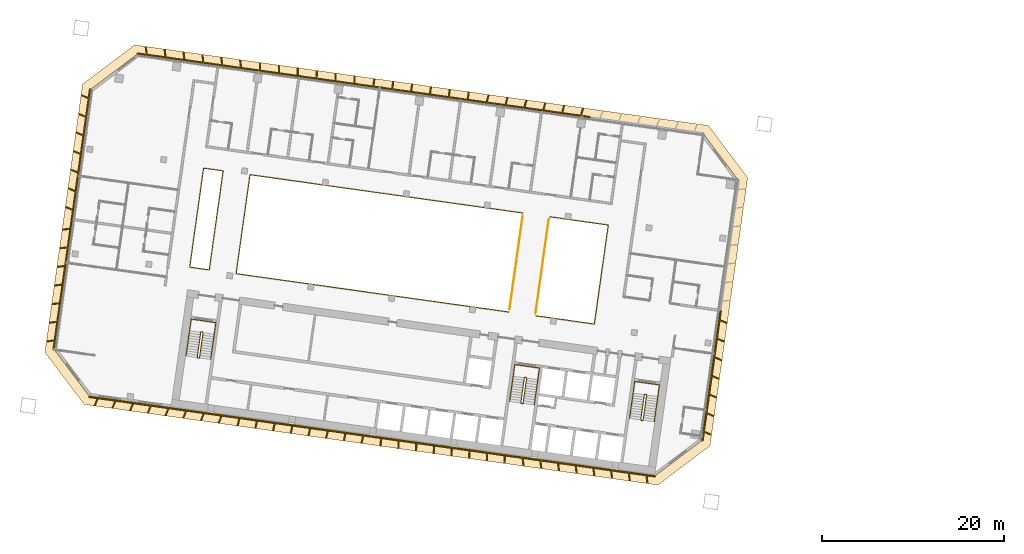
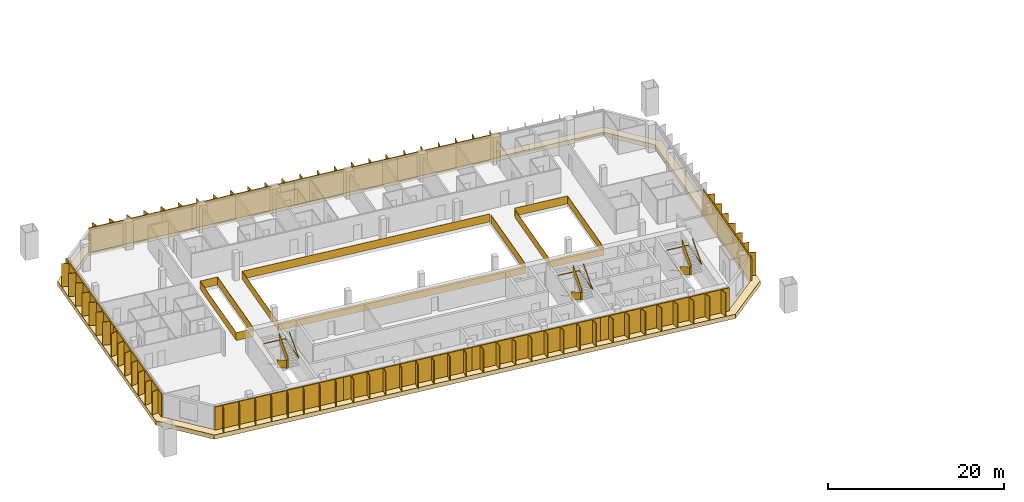
# One storey, part 24 of 26: 11 railings, 11 shading devices, 1 covering.
"""IFC4 building model written with IfcOpenShell, lengths in metres."""

from ifc_helpers import new_model, si_unit, direction, frame, origin, origin_2d, place, context, subcontext, project, spatial, polyline, rectangle, outline, extrude, material, layer, layer_set, type_object, element, save


model = new_model("IFC4")

# Units and contexts
model_context = context("Model", 3, precision=1e-05, world=origin(), true_north=direction((0.0, 1.0)))
body_context = subcontext(model_context, "Body", "Model", "MODEL_VIEW")
ifc_project = project(units=[si_unit("LENGTHUNIT", "METRE"), si_unit("AREAUNIT", "SQUARE_METRE"), si_unit("VOLUMEUNIT", "CUBIC_METRE"), si_unit("PLANEANGLEUNIT", "RADIAN"), si_unit("MASSUNIT", "GRAM", prefix="KILO")], contexts=[model_context])

# Site, building, storey
site_placement = place(None, origin())
site = spatial("IfcSite", under=ifc_project, at=site_placement, CompositionType="ELEMENT")
building_placement = place(site_placement, origin())
building = spatial("IfcBuilding", under=site, at=building_placement, Name="Mirante Cascada Hotel Towers", CompositionType="ELEMENT")
storey_placement = place(building_placement, frame((0.0, 0.0, 106.3)))
storey = spatial("IfcBuildingStorey", under=building, at=storey_placement, Name="L23", CompositionType="ELEMENT", Elevation=106.3)

# Railings
ifc_material_1 = material(Name="Toughened glass with stainless steel handrail", Category="steel")
railing_type_1 = type_object("IfcRailingType", Name="Atrium guard 1100 glass balustrade", PredefinedType="GUARDRAIL", material=ifc_material_1)
railing_1_placement = place(storey_placement, frame((-48.76, 8.3112, 0.0)))
element("IfcRailing", 1, at=railing_1_placement, inside=storey, type_object=railing_type_1, Name="GUARD 1-L23-1", PredefinedType="GUARDRAIL", context=body_context, shape_type="SweptSolid", body=[
    extrude(rectangle(XDim=0.048, YDim=0.048, at=origin_2d()), frame((0.0, 0.0, 1.076), z_axis=(0.9902694, -0.1391638, 0.0), x_axis=(0.1391638, 0.9902694, 0.0)), (0.0, 0.0, 1.0), 6.5125),
    extrude(rectangle(XDim=0.02, YDim=1.052, at=origin_2d()), frame((0.0, 0.0, 0.526), z_axis=(0.9902694, -0.1391638, 0.0), x_axis=(0.1391638, 0.9902694, 0.0)), (0.0, 0.0, 1.0), 6.5125),
    extrude(rectangle(XDim=0.048, YDim=0.048, at=origin_2d()), frame((6.4491, -0.9063, 1.076), z_axis=(-0.1391721, -0.9902682, 0.0), x_axis=(0.9902682, -0.1391721, 0.0)), (0.0, 0.0, 1.0), 11.0001),
    extrude(rectangle(XDim=0.02, YDim=1.052, at=origin_2d()), frame((6.4491, -0.9063, 0.526), z_axis=(-0.1391721, -0.9902682, 0.0), x_axis=(0.9902682, -0.1391721, 0.0)), (0.0, 0.0, 1.0), 11.0001),
    extrude(rectangle(XDim=0.048, YDim=0.048, at=origin_2d()), frame((4.9182, -11.7993, 1.076), z_axis=(-0.9902673, 0.1391788, 0.0), x_axis=(-0.1391788, -0.9902673, 0.0)), (0.0, 0.0, 1.0), 6.5125),
    extrude(rectangle(XDim=0.02, YDim=1.052, at=origin_2d()), frame((4.9182, -11.7993, 0.526), z_axis=(-0.9902673, 0.1391788, 0.0), x_axis=(-0.1391788, -0.9902673, 0.0)), (0.0, 0.0, 1.0), 6.5125),
])
railing_2_placement = place(storey_placement, frame((-53.2617, -2.1642, 0.0)))
element("IfcRailing", 2, at=railing_2_placement, inside=storey, type_object=railing_type_1, Name="GUARD 1-L23-2", PredefinedType="GUARDRAIL", context=body_context, shape_type="SweptSolid", body=[
    extrude(rectangle(XDim=0.048, YDim=0.048, at=origin_2d()), frame((0.0, 0.0, 1.076), z_axis=(-0.9902682, 0.1391722, 0.0), x_axis=(-0.1391722, -0.9902682, 0.0)), (0.0, 0.0, 1.0), 30.325),
    extrude(rectangle(XDim=0.02, YDim=1.052, at=origin_2d()), frame((0.0, 0.0, 0.526), z_axis=(-0.9902682, 0.1391722, 0.0), x_axis=(-0.1391722, -0.9902682, 0.0)), (0.0, 0.0, 1.0), 30.325),
    extrude(rectangle(XDim=0.048, YDim=0.048, at=origin_2d()), frame((-30.0299, 4.2204, 1.076), z_axis=(0.1391721, 0.9902682, 0.0), x_axis=(-0.9902682, 0.1391721, 0.0)), (0.0, 0.0, 1.0), 11.0001),
    extrude(rectangle(XDim=0.02, YDim=1.052, at=origin_2d()), frame((-30.0299, 4.2204, 0.526), z_axis=(0.1391721, 0.9902682, 0.0), x_axis=(-0.9902682, 0.1391721, 0.0)), (0.0, 0.0, 1.0), 11.0001),
    extrude(rectangle(XDim=0.048, YDim=0.048, at=origin_2d()), frame((-28.499, 15.1134, 1.076), z_axis=(0.9902682, -0.1391722, 0.0), x_axis=(0.1391722, 0.9902682, 0.0)), (0.0, 0.0, 1.0), 30.325),
    extrude(rectangle(XDim=0.02, YDim=1.052, at=origin_2d()), frame((-28.499, 15.1134, 0.526), z_axis=(0.9902682, -0.1391722, 0.0), x_axis=(0.1391722, 0.9902682, 0.0)), (0.0, 0.0, 1.0), 30.325),
])
railing_3_placement = place(storey_placement, frame((-86.2624, 2.4738, 0.0)))
element("IfcRailing", 3, at=railing_3_placement, inside=storey, type_object=railing_type_1, Name="GUARD 1-L23-3", PredefinedType="GUARDRAIL", context=body_context, shape_type="SweptSolid", body=[
    extrude(rectangle(XDim=0.048, YDim=0.048, at=origin_2d()), frame((0.0, 0.0, 1.076), z_axis=(-0.9902724, 0.1391422, 0.0), x_axis=(-0.1391422, -0.9902724, 0.0)), (0.0, 0.0, 1.0), 2.1625),
    extrude(rectangle(XDim=0.02, YDim=1.052, at=origin_2d()), frame((0.0, 0.0, 0.526), z_axis=(-0.9902724, 0.1391422, 0.0), x_axis=(-0.1391422, -0.9902724, 0.0)), (0.0, 0.0, 1.0), 2.1625),
    extrude(rectangle(XDim=0.048, YDim=0.048, at=origin_2d()), frame((-2.1415, 0.3009, 1.076), z_axis=(0.1391721, 0.9902682, 0.0), x_axis=(-0.9902682, 0.1391721, 0.0)), (0.0, 0.0, 1.0), 11.0001),
    extrude(rectangle(XDim=0.02, YDim=1.052, at=origin_2d()), frame((-2.1415, 0.3009, 0.526), z_axis=(0.1391721, 0.9902682, 0.0), x_axis=(-0.9902682, 0.1391721, 0.0)), (0.0, 0.0, 1.0), 11.0001),
    extrude(rectangle(XDim=0.048, YDim=0.048, at=origin_2d()), frame((-0.6106, 11.1939, 1.076), z_axis=(0.990266, -0.1391875, 0.0), x_axis=(0.1391875, 0.990266, 0.0)), (0.0, 0.0, 1.0), 2.1626),
    extrude(rectangle(XDim=0.02, YDim=1.052, at=origin_2d()), frame((-0.6106, 11.1939, 0.526), z_axis=(0.990266, -0.1391875, 0.0), x_axis=(0.1391875, 0.990266, 0.0)), (0.0, 0.0, 1.0), 2.1626),
    extrude(rectangle(XDim=0.048, YDim=0.048, at=origin_2d()), frame((1.5309, 10.8929, 1.076), z_axis=(-0.1391733, -0.990268, 0.0), x_axis=(0.990268, -0.1391733, 0.0)), (0.0, 0.0, 1.0), 11.0),
    extrude(rectangle(XDim=0.02, YDim=1.052, at=origin_2d()), frame((1.5309, 10.8929, 0.526), z_axis=(-0.1391733, -0.990268, 0.0), x_axis=(0.990268, -0.1391733, 0.0)), (0.0, 0.0, 1.0), 11.0),
])
railing_4_placement = place(storey_placement, frame((-53.172, -1.8782, 0.0)))
element("IfcRailing", 4, at=railing_4_placement, inside=storey, type_object=railing_type_1, Name="GUARD 1-L23-4", PredefinedType="GUARDRAIL", context=body_context, shape_type="SweptSolid", body=[
    extrude(rectangle(XDim=0.048, YDim=0.048, at=origin_2d()), frame((0.0, 0.0, 1.076), z_axis=(0.1391721, 0.9902682, 0.0), x_axis=(-0.9902682, 0.1391721, 0.0)), (0.0, 0.0, 1.0), 10.4087),
    extrude(rectangle(XDim=0.02, YDim=1.052, at=origin_2d()), frame((0.0, 0.0, 0.526), z_axis=(0.1391721, 0.9902682, 0.0), x_axis=(-0.9902682, 0.1391721, 0.0)), (0.0, 0.0, 1.0), 10.4087),
])
railing_5_placement = place(storey_placement, frame((-48.8497, 8.0253, 0.0)))
element("IfcRailing", 5, at=railing_5_placement, inside=storey, type_object=railing_type_1, Name="GUARD 1-L23-5", PredefinedType="GUARDRAIL", context=body_context, shape_type="SweptSolid", body=[
    extrude(rectangle(XDim=0.048, YDim=0.048, at=origin_2d()), frame((0.0, 0.0, 1.076), z_axis=(-0.1391708, -0.9902684, 0.0), x_axis=(0.9902684, -0.1391708, 0.0)), (0.0, 0.0, 1.0), 10.4088),
    extrude(rectangle(XDim=0.02, YDim=1.052, at=origin_2d()), frame((0.0, 0.0, 0.526), z_axis=(-0.1391708, -0.9902684, 0.0), x_axis=(0.9902684, -0.1391708, 0.0)), (0.0, 0.0, 1.0), 10.4088),
])

# Covering
ifc_material_2 = material(Name="Precast concrete C40/50 white", Category="concrete")
ifc_layer = layer(ifc_material_2, 0.6)
ifc_layer_set = layer_set([ifc_layer], Name="Precast concrete SUNSHADE band 1000x600")
covering_type = type_object("IfcCoveringType", Name="Precast concrete SUNSHADE band 1000x600", PredefinedType="CLADDING", material=ifc_layer_set)
covering_placement = place(storey_placement, frame((0.0, 0.0, -0.45)))
element("IfcCovering", 6, at=covering_placement, inside=storey, type_object=covering_type, Name="Precast concrete SUNSHADE band T1 L23", PredefinedType="CLADDING", context=body_context, shape_type="SweptSolid", body=[
    extrude(outline(polyline([(-104.3652, -6.6094), (-100.2139, 22.9287), (-94.4698, 27.2572), (-31.2626, 18.374), (-26.9341, 12.6299), (-31.0854, -16.9082), (-36.8295, -21.2367), (-100.0367, -12.3535), (-104.3652, -6.6094)]), holes=[polyline([(-27.982, 12.3589), (-31.8119, 17.4414), (-94.1988, 26.2093), (-99.2813, 22.3794), (-103.3173, -6.3384), (-99.4874, -11.4209), (-37.1005, -20.1888), (-32.018, -16.3589), (-27.982, 12.3589)])]), origin(), (0.0, 0.0, 1.0), 0.6),
])

# Railings
ifc_material_3 = material(Name="Painted steel", Category="steel")
railing_type_2 = type_object("IfcRailingType", Name="Stair guard 1100 steel balustrade", PredefinedType="GUARDRAIL", material=ifc_material_3)
railing_6_placement = place(storey_placement, frame((-38.1178, -11.2603, 0.0)))
element("IfcRailing", 7, at=railing_6_placement, inside=storey, type_object=railing_type_2, Name="L23 ST1-A stair guard 1", PredefinedType="GUARDRAIL", context=body_context, shape_type="SweptSolid", body=[
    extrude(rectangle(XDim=0.048, YDim=0.048, at=origin_2d()), frame((0.0, 0.0, 1.076), z_axis=(-0.9903326, 0.1387133, 0.0), x_axis=(-0.1387133, -0.9903326, 0.0)), (0.0, 0.0, 1.0), 0.1499),
    extrude(rectangle(XDim=0.02, YDim=1.052, at=origin_2d()), frame((0.0, 0.0, 0.526), z_axis=(-0.9903326, 0.1387133, 0.0), x_axis=(-0.1387133, -0.9903326, 0.0)), (0.0, 0.0, 1.0), 0.1499),
    extrude(rectangle(XDim=0.048, YDim=0.048, at=origin_2d()), frame((-0.1485, 0.0208, 1.076), z_axis=(-0.7991505, -0.6011309, 0.0), x_axis=(0.6011309, -0.7991505, 0.0)), (0.0, 0.9254529, 0.3788627), 0.1866),
    extrude(rectangle(XDim=0.02, YDim=1.052, at=origin_2d()), frame((-0.1485, 0.0208, 0.526), z_axis=(-0.7991505, -0.6011309, 0.0), x_axis=(0.6011309, -0.7991505, 0.0)), (0.0, 0.9254529, 0.3788627), 0.1866),
    extrude(rectangle(XDim=0.048, YDim=0.048, at=origin_2d()), frame((-0.205, -0.0217, 1.2487), z_axis=(-0.139176, -0.9902677, 0.0), x_axis=(0.9902677, -0.139176, 0.0)), (0.0, 0.5250212, 0.8510891), 3.29),
    extrude(rectangle(XDim=0.02, YDim=1.052, at=origin_2d()), frame((-0.205, -0.0217, 0.6987), z_axis=(-0.139176, -0.9902677, 0.0), x_axis=(0.9902677, -0.139176, 0.0)), (0.0, 0.5250212, 0.8510891), 3.29),
    extrude(rectangle(XDim=0.048, YDim=0.048, at=origin_2d()), frame((-0.5947, -2.7945, 2.976), z_axis=(0.9270311, -0.3749843, 0.0), x_axis=(0.3749843, 0.9270311, 0.0)), (0.0, 0.0, 1.0), 0.2061),
    extrude(rectangle(XDim=0.02, YDim=1.052, at=origin_2d()), frame((-0.5947, -2.7945, 2.426), z_axis=(0.9270311, -0.3749843, 0.0), x_axis=(0.3749843, 0.9270311, 0.0)), (0.0, 0.0, 1.0), 0.2061),
    extrude(rectangle(XDim=0.048, YDim=0.048, at=origin_2d()), frame((-0.4036, -2.8718, 2.976), z_axis=(-0.9902408, 0.1393672, 0.0), x_axis=(-0.1393672, -0.9902408, 0.0)), (0.0, 0.0, 1.0), 0.15),
    extrude(rectangle(XDim=0.02, YDim=1.052, at=origin_2d()), frame((-0.4036, -2.8718, 2.426), z_axis=(-0.9902408, 0.1393672, 0.0), x_axis=(-0.1393672, -0.9902408, 0.0)), (0.0, 0.0, 1.0), 0.15),
    extrude(rectangle(XDim=0.048, YDim=0.048, at=origin_2d()), frame((-0.5521, -2.8509, 2.976), z_axis=(0.9944948, 0.1047858, 0.0), x_axis=(-0.1047858, 0.9944948, 0.0)), (0.0, 0.6422034, 0.7665343), 0.2689),
    extrude(rectangle(XDim=0.02, YDim=1.052, at=origin_2d()), frame((-0.5521, -2.8509, 2.426), z_axis=(0.9944948, 0.1047858, 0.0), x_axis=(-0.1047858, 0.9944948, 0.0)), (0.0, 0.6422034, 0.7665343), 0.2689),
    extrude(rectangle(XDim=0.048, YDim=0.048, at=origin_2d()), frame((-0.3471, -2.8293, 3.1487), z_axis=(0.139176, 0.9902677, 0.0), x_axis=(-0.9902677, 0.139176, 0.0)), (0.0, 0.5250212, 0.8510891), 3.29),
    extrude(rectangle(XDim=0.02, YDim=1.052, at=origin_2d()), frame((-0.3471, -2.8293, 2.5987), z_axis=(0.139176, 0.9902677, 0.0), x_axis=(-0.9902677, 0.139176, 0.0)), (0.0, 0.5250212, 0.8510891), 3.29),
])
railing_7_placement = place(storey_placement, frame((-51.3379, -9.4024, 0.0)))
element("IfcRailing", 8, at=railing_7_placement, inside=storey, type_object=railing_type_2, Name="L23 ST1-B stair guard 1", PredefinedType="GUARDRAIL", context=body_context, shape_type="SweptSolid", body=[
    extrude(rectangle(XDim=0.048, YDim=0.048, at=origin_2d()), frame((0.0, 0.0, 1.076), z_axis=(-0.9902408, 0.1393672, 0.0), x_axis=(-0.1393672, -0.9902408, 0.0)), (0.0, 0.0, 1.0), 0.15),
    extrude(rectangle(XDim=0.02, YDim=1.052, at=origin_2d()), frame((0.0, 0.0, 0.526), z_axis=(-0.9902408, 0.1393672, 0.0), x_axis=(-0.1393672, -0.9902408, 0.0)), (0.0, 0.0, 1.0), 0.15),
    extrude(rectangle(XDim=0.048, YDim=0.048, at=origin_2d()), frame((-0.1485, 0.0209, 1.076), z_axis=(-0.7984711, -0.6020331, 0.0), x_axis=(0.6020331, -0.7984711, 0.0)), (0.0, 0.9253398, 0.3791387), 0.1866),
    extrude(rectangle(XDim=0.02, YDim=1.052, at=origin_2d()), frame((-0.1485, 0.0209, 0.526), z_axis=(-0.7984711, -0.6020331, 0.0), x_axis=(0.6020331, -0.7984711, 0.0)), (0.0, 0.9253398, 0.3791387), 0.1866),
    extrude(rectangle(XDim=0.048, YDim=0.048, at=origin_2d()), frame((-0.205, -0.0217, 1.2487), z_axis=(-0.139181, -0.990267, 0.0), x_axis=(0.990267, -0.139181, 0.0)), (0.0, 0.5250347, 0.8510808), 3.2899),
    extrude(rectangle(XDim=0.02, YDim=1.052, at=origin_2d()), frame((-0.205, -0.0217, 0.6987), z_axis=(-0.139181, -0.990267, 0.0), x_axis=(0.990267, -0.139181, 0.0)), (0.0, 0.5250347, 0.8510808), 3.2899),
    extrude(rectangle(XDim=0.048, YDim=0.048, at=origin_2d()), frame((-0.5947, -2.7944, 2.976), z_axis=(0.9268624, -0.3754011, 0.0), x_axis=(0.3754011, 0.9268624, 0.0)), (0.0, 0.0, 1.0), 0.2062),
    extrude(rectangle(XDim=0.02, YDim=1.052, at=origin_2d()), frame((-0.5947, -2.7944, 2.426), z_axis=(0.9268624, -0.3754011, 0.0), x_axis=(0.3754011, 0.9268624, 0.0)), (0.0, 0.0, 1.0), 0.2062),
    extrude(rectangle(XDim=0.048, YDim=0.048, at=origin_2d()), frame((-0.4036, -2.8718, 2.976), z_axis=(-0.9902408, 0.1393672, 0.0), x_axis=(-0.1393672, -0.9902408, 0.0)), (0.0, 0.0, 1.0), 0.15),
    extrude(rectangle(XDim=0.02, YDim=1.052, at=origin_2d()), frame((-0.4036, -2.8718, 2.426), z_axis=(-0.9902408, 0.1393672, 0.0), x_axis=(-0.1393672, -0.9902408, 0.0)), (0.0, 0.0, 1.0), 0.15),
    extrude(rectangle(XDim=0.048, YDim=0.048, at=origin_2d()), frame((-0.5521, -2.8509, 2.976), z_axis=(0.9944441, 0.1052656, 0.0), x_axis=(-0.1052656, 0.9944441, 0.0)), (0.0, 0.6421842, 0.7665504), 0.2689),
    extrude(rectangle(XDim=0.02, YDim=1.052, at=origin_2d()), frame((-0.5521, -2.8509, 2.426), z_axis=(0.9944441, 0.1052656, 0.0), x_axis=(-0.1052656, 0.9944441, 0.0)), (0.0, 0.6421842, 0.7665504), 0.2689),
    extrude(rectangle(XDim=0.048, YDim=0.048, at=origin_2d()), frame((-0.3471, -2.8292, 3.1487), z_axis=(0.139181, 0.990267, 0.0), x_axis=(-0.990267, 0.139181, 0.0)), (0.0, 0.5250347, 0.8510808), 3.2899),
    extrude(rectangle(XDim=0.02, YDim=1.052, at=origin_2d()), frame((-0.3471, -2.8292, 2.5987), z_axis=(0.139181, 0.990267, 0.0), x_axis=(-0.990267, 0.139181, 0.0)), (0.0, 0.5250347, 0.8510808), 3.2899),
])
railing_8_placement = place(storey_placement, frame((-86.9875, -4.3922, 0.0)))
element("IfcRailing", 9, at=railing_8_placement, inside=storey, type_object=railing_type_2, Name="L23 ST1-C stair guard 1", PredefinedType="GUARDRAIL", context=body_context, shape_type="SweptSolid", body=[
    extrude(rectangle(XDim=0.048, YDim=0.048, at=origin_2d()), frame((0.0, 0.0, 1.076), z_axis=(-0.9902537, 0.1392753, 0.0), x_axis=(-0.1392753, -0.9902537, 0.0)), (0.0, 0.0, 1.0), 0.1501),
    extrude(rectangle(XDim=0.02, YDim=1.052, at=origin_2d()), frame((0.0, 0.0, 0.526), z_axis=(-0.9902537, 0.1392753, 0.0), x_axis=(-0.1392753, -0.9902537, 0.0)), (0.0, 0.0, 1.0), 0.1501),
    extrude(rectangle(XDim=0.048, YDim=0.048, at=origin_2d()), frame((-0.1486, 0.0209, 1.076), z_axis=(-0.7986386, -0.601811, 0.0), x_axis=(0.601811, -0.7986386, 0.0)), (0.0, 0.925603, 0.3784959), 0.1866),
    extrude(rectangle(XDim=0.02, YDim=1.052, at=origin_2d()), frame((-0.1486, 0.0209, 0.526), z_axis=(-0.7986386, -0.601811, 0.0), x_axis=(0.601811, -0.7986386, 0.0)), (0.0, 0.925603, 0.3784959), 0.1866),
    extrude(rectangle(XDim=0.048, YDim=0.048, at=origin_2d()), frame((-0.205, -0.0216, 1.2487), z_axis=(-0.139176, -0.9902677, 0.0), x_axis=(0.9902677, -0.139176, 0.0)), (0.0, 0.5250212, 0.8510891), 3.29),
    extrude(rectangle(XDim=0.02, YDim=1.052, at=origin_2d()), frame((-0.205, -0.0216, 0.6987), z_axis=(-0.139176, -0.9902677, 0.0), x_axis=(0.9902677, -0.139176, 0.0)), (0.0, 0.5250212, 0.8510891), 3.29),
    extrude(rectangle(XDim=0.048, YDim=0.048, at=origin_2d()), frame((-0.5947, -2.7944, 2.976), z_axis=(0.9270311, -0.3749843, 0.0), x_axis=(0.3749843, 0.9270311, 0.0)), (0.0, 0.0, 1.0), 0.2061),
    extrude(rectangle(XDim=0.02, YDim=1.052, at=origin_2d()), frame((-0.5947, -2.7944, 2.426), z_axis=(0.9270311, -0.3749843, 0.0), x_axis=(0.3749843, 0.9270311, 0.0)), (0.0, 0.0, 1.0), 0.2061),
    extrude(rectangle(XDim=0.048, YDim=0.048, at=origin_2d()), frame((-0.4036, -2.8717, 2.976), z_axis=(-0.9903454, 0.1386217, 0.0), x_axis=(-0.1386217, -0.9903454, 0.0)), (0.0, 0.0, 1.0), 0.15),
    extrude(rectangle(XDim=0.02, YDim=1.052, at=origin_2d()), frame((-0.4036, -2.8717, 2.426), z_axis=(-0.9903454, 0.1386217, 0.0), x_axis=(-0.1386217, -0.9903454, 0.0)), (0.0, 0.0, 1.0), 0.15),
    extrude(rectangle(XDim=0.048, YDim=0.048, at=origin_2d()), frame((-0.5522, -2.8509, 2.976), z_axis=(0.9944441, 0.1052656, 0.0), x_axis=(-0.1052656, 0.9944441, 0.0)), (0.0, 0.6421842, 0.7665504), 0.2689),
    extrude(rectangle(XDim=0.02, YDim=1.052, at=origin_2d()), frame((-0.5522, -2.8509, 2.426), z_axis=(0.9944441, 0.1052656, 0.0), x_axis=(-0.1052656, 0.9944441, 0.0)), (0.0, 0.6421842, 0.7665504), 0.2689),
    extrude(rectangle(XDim=0.048, YDim=0.048, at=origin_2d()), frame((-0.3472, -2.8292, 3.1487), z_axis=(0.139176, 0.9902677, 0.0), x_axis=(-0.9902677, 0.139176, 0.0)), (0.0, 0.5250212, 0.8510891), 3.29),
    extrude(rectangle(XDim=0.02, YDim=1.052, at=origin_2d()), frame((-0.3472, -2.8292, 2.5987), z_axis=(0.139176, 0.9902677, 0.0), x_axis=(-0.9902677, 0.139176, 0.0)), (0.0, 0.5250212, 0.8510891), 3.29),
])
ifc_material_4 = material(Name="Painted steel", Category="steel")
railing_type_3 = type_object("IfcRailingType", Name="Stair handrail 900 steel tube", PredefinedType="HANDRAIL", material=ifc_material_4)
railing_9_placement = place(storey_placement, frame((-39.5606, -11.1081, 0.1727)))
element("IfcRailing", 10, at=railing_9_placement, inside=storey, type_object=railing_type_3, Name="L23 ST1-A stair handrail 1", PredefinedType="HANDRAIL", context=body_context, shape_type="SweptSolid", body=[
    extrude(rectangle(XDim=0.048, YDim=0.048, at=origin_2d()), frame((0.0, 0.0, 0.876), z_axis=(-0.139181, -0.990267, 0.0), x_axis=(0.990267, -0.139181, 0.0)), (0.0, 0.5250347, 0.8510808), 3.2899),
    extrude(rectangle(XDim=0.048, YDim=0.048, at=origin_2d()), frame((-0.3897, -2.7727, 2.6033), z_axis=(0.1391707, 0.9902684, 0.0), x_axis=(-0.9902684, 0.1391707, 0.0)), (0.0, 0.0420846, 0.999114), 4.1036),
    extrude(rectangle(XDim=0.048, YDim=0.048, at=origin_2d()), frame((0.1809, 1.2874, 2.776), z_axis=(0.9902691, -0.1391657, 0.0), x_axis=(0.1391657, 0.9902691, 0.0)), (0.0, 0.0, 1.0), 2.75),
    extrude(rectangle(XDim=0.048, YDim=0.048, at=origin_2d()), frame((2.9041, 0.9047, 2.776), z_axis=(-0.1391707, -0.9902684, 0.0), x_axis=(0.9902684, -0.1391707, 0.0)), (0.0, 0.0, 1.0), 4.1),
    extrude(rectangle(XDim=0.048, YDim=0.048, at=origin_2d()), frame((2.3335, -3.1554, 2.776), z_axis=(0.139181, 0.990267, 0.0), x_axis=(-0.990267, 0.139181, 0.0)), (0.0, 0.5250347, 0.8510808), 3.2899),
])
railing_10_placement = place(storey_placement, frame((-52.7807, -9.2501, 0.1727)))
element("IfcRailing", 11, at=railing_10_placement, inside=storey, type_object=railing_type_3, Name="L23 ST1-B stair handrail 1", PredefinedType="HANDRAIL", context=body_context, shape_type="SweptSolid", body=[
    extrude(rectangle(XDim=0.048, YDim=0.048, at=origin_2d()), frame((0.0, 0.0, 0.876), z_axis=(-0.139181, -0.990267, 0.0), x_axis=(0.990267, -0.139181, 0.0)), (0.0, 0.5250347, 0.8510808), 3.2899),
    extrude(rectangle(XDim=0.048, YDim=0.048, at=origin_2d()), frame((-0.3897, -2.7727, 2.6033), z_axis=(0.1391707, 0.9902684, 0.0), x_axis=(-0.9902684, 0.1391707, 0.0)), (0.0, 0.0420846, 0.999114), 4.1036),
    extrude(rectangle(XDim=0.048, YDim=0.048, at=origin_2d()), frame((0.1809, 1.2874, 2.776), z_axis=(0.9902641, -0.1392013, 0.0), x_axis=(0.1392013, 0.9902641, 0.0)), (0.0, 0.0, 1.0), 2.75),
    extrude(rectangle(XDim=0.048, YDim=0.048, at=origin_2d()), frame((2.9041, 0.9046, 2.776), z_axis=(-0.1391707, -0.9902684, 0.0), x_axis=(0.9902684, -0.1391707, 0.0)), (0.0, 0.0, 1.0), 4.1),
    extrude(rectangle(XDim=0.048, YDim=0.048, at=origin_2d()), frame((2.3335, -3.1555, 2.776), z_axis=(0.139176, 0.9902677, 0.0), x_axis=(-0.9902677, 0.139176, 0.0)), (0.0, 0.5250212, 0.8510891), 3.29),
])
railing_11_placement = place(storey_placement, frame((-88.4304, -4.2399, 0.1727)))
element("IfcRailing", 12, at=railing_11_placement, inside=storey, type_object=railing_type_3, Name="L23 ST1-C stair handrail 1", PredefinedType="HANDRAIL", context=body_context, shape_type="SweptSolid", body=[
    extrude(rectangle(XDim=0.048, YDim=0.048, at=origin_2d()), frame((0.0, 0.0, 0.876), z_axis=(-0.139181, -0.990267, 0.0), x_axis=(0.990267, -0.139181, 0.0)), (0.0, 0.5250347, 0.8510808), 3.2899),
    extrude(rectangle(XDim=0.048, YDim=0.048, at=origin_2d()), frame((-0.3897, -2.7727, 2.6033), z_axis=(0.1391947, 0.990265, 0.0), x_axis=(-0.990265, 0.1391947, 0.0)), (0.0, 0.0420845, 0.9991141), 4.1036),
    extrude(rectangle(XDim=0.048, YDim=0.048, at=origin_2d()), frame((0.181, 1.2874, 2.776), z_axis=(0.9902691, -0.1391657, 0.0), x_axis=(0.1391657, 0.9902691, 0.0)), (0.0, 0.0, 1.0), 2.75),
    extrude(rectangle(XDim=0.048, YDim=0.048, at=origin_2d()), frame((2.9042, 0.9047, 2.776), z_axis=(-0.1391707, -0.9902684, 0.0), x_axis=(0.9902684, -0.1391707, 0.0)), (0.0, 0.0, 1.0), 4.1),
    extrude(rectangle(XDim=0.048, YDim=0.048, at=origin_2d()), frame((2.3336, -3.1554, 2.776), z_axis=(0.139181, 0.990267, 0.0), x_axis=(-0.990267, 0.139181, 0.0)), (0.0, 0.5250347, 0.8510808), 3.2899),
])

# Shading devices
ifc_material_5 = material(Name="White precast concrete C50/60 fin", Category="concrete")
shading_device_type = type_object("IfcShadingDeviceType", Name="Vertical fin set 4500x900", PredefinedType="USERDEFINED", material=ifc_material_5)
shading_device_1_placement = place(storey_placement, origin())
element("IfcShadingDevice", 13, at=shading_device_1_placement, inside=storey, type_object=shading_device_type, Name="FIN T1 L23 front 1", ObjectType="FIN", PredefinedType="USERDEFINED", context=body_context, shape_type="SweptSolid", body=[
    extrude(outline(polyline([(-82.8173, 25.599), (-82.7126, 24.7465), (-81.7006, 24.6042), (-81.7214, 24.4557), (-94.1988, 26.2093), (-94.1779, 26.3578), (-93.1924, 26.2193), (-93.2945, 27.0506), (-93.2151, 27.0603), (-93.1104, 26.2078), (-91.1129, 25.9271), (-91.2149, 26.7583), (-91.1355, 26.7681), (-91.0308, 25.9155), (-89.0333, 25.6348), (-89.1354, 26.4661), (-89.056, 26.4758), (-88.9513, 25.6233), (-86.9537, 25.3425), (-87.0558, 26.1738), (-86.9764, 26.1835), (-86.8717, 25.331), (-84.8742, 25.0503), (-84.9762, 25.8815), (-84.8968, 25.8913), (-84.7922, 25.0387), (-82.7946, 24.758), (-82.8967, 25.5893), (-82.8173, 25.599)])), origin(), (0.0, 0.0, 1.0), 3.35),
])
shading_device_2_placement = place(storey_placement, origin())
element("IfcShadingDevice", 14, at=shading_device_2_placement, inside=storey, type_object=shading_device_type, Name="FIN T1 L23 front 2", ObjectType="FIN", PredefinedType="USERDEFINED", context=body_context, shape_type="SweptSolid", body=[
    extrude(outline(polyline([(-70.2221, 23.8469), (-70.2295, 22.9921), (-69.2232, 22.8507), (-69.2441, 22.7021), (-81.7214, 24.4557), (-81.7006, 24.6042), (-80.7072, 24.4646), (-80.6999, 25.3089), (-80.6199, 25.3082), (-80.6273, 24.4534), (-78.6277, 24.1724), (-78.6203, 25.0166), (-78.5403, 25.0159), (-78.5478, 24.1611), (-76.5481, 23.8801), (-76.5407, 24.7244), (-76.4608, 24.7237), (-76.4682, 23.8689), (-74.4686, 23.5878), (-74.4612, 24.4321), (-74.3812, 24.4314), (-74.3886, 23.5766), (-72.389, 23.2956), (-72.3816, 24.1399), (-72.3016, 24.1392), (-72.3091, 23.2844), (-70.3094, 23.0033), (-70.3021, 23.8476), (-70.2221, 23.8469)])), origin(), (0.0, 0.0, 1.0), 3.35),
])
shading_device_3_placement = place(storey_placement, origin())
element("IfcShadingDevice", 15, at=shading_device_3_placement, inside=storey, type_object=shading_device_type, Name="FIN T1 L23 front 3", ObjectType="FIN", PredefinedType="USERDEFINED", context=body_context, shape_type="SweptSolid", body=[
    extrude(outline(polyline([(-57.6277, 22.0794), (-57.746, 21.2376), (-56.7458, 21.0971), (-56.7667, 20.9485), (-69.2441, 22.7021), (-69.2232, 22.8507), (-68.223, 22.7101), (-68.1047, 23.5518), (-68.0255, 23.5407), (-68.1438, 22.699), (-66.1434, 22.4178), (-66.0251, 23.2596), (-65.9459, 23.2484), (-66.0642, 22.4067), (-64.0639, 22.1256), (-63.9456, 22.9673), (-63.8664, 22.9562), (-63.9847, 22.1144), (-61.9843, 21.8333), (-61.866, 22.675), (-61.7868, 22.6639), (-61.9051, 21.8222), (-59.9048, 21.541), (-59.7865, 22.3828), (-59.7072, 22.3716), (-59.8255, 21.5299), (-57.8252, 21.2488), (-57.7069, 22.0905), (-57.6277, 22.0794)])), origin(), (0.0, 0.0, 1.0), 3.35),
])
shading_device_4_placement = place(storey_placement, origin())
element("IfcShadingDevice", 16, at=shading_device_4_placement, inside=storey, type_object=shading_device_type, Name="FIN T1 L23 front 4", ObjectType="FIN", PredefinedType="USERDEFINED", context=body_context, shape_type="SweptSolid", body=[
    extrude(outline(polyline([(-45.0361, 20.2967), (-45.2617, 19.4831), (-44.2684, 19.3435), (-44.2893, 19.195), (-56.7667, 20.9485), (-56.7458, 21.0971), (-55.7394, 20.9556), (-55.511, 21.7794), (-55.4339, 21.758), (-55.6595, 20.9444), (-53.6599, 20.6634), (-53.4314, 21.4871), (-53.3544, 21.4657), (-53.58, 20.6521), (-51.5803, 20.3711), (-51.3519, 21.1949), (-51.2748, 21.1735), (-51.5004, 20.3599), (-49.5008, 20.0789), (-49.2723, 20.9026), (-49.1952, 20.8812), (-49.4209, 20.0676), (-47.4212, 19.7866), (-47.1928, 20.6103), (-47.1157, 20.589), (-47.3413, 19.7754), (-45.3416, 19.4943), (-45.1132, 20.3181), (-45.0361, 20.2967)])), origin(), (0.0, 0.0, 1.0), 3.35),
])
shading_device_5_placement = place(storey_placement, origin())
element("IfcShadingDevice", 17, at=shading_device_5_placement, inside=storey, type_object=shading_device_type, Name="FIN T1 L23 inner 2", ObjectType="FIN", PredefinedType="USERDEFINED", context=body_context, shape_type="SweptSolid", body=[
    extrude(outline(polyline([(-31.733, -15.4084), (-31.8695, -16.3798), (-32.018, -16.3589), (-30.0, -2.0), (-29.8515, -2.0209), (-29.9917, -3.0188), (-29.201, -3.3544), (-29.2323, -3.428), (-30.0032, -3.1008), (-30.28, -5.07), (-29.4893, -5.4057), (-29.5206, -5.4793), (-30.2915, -5.1521), (-30.5683, -7.1213), (-29.7776, -7.4569), (-29.8089, -7.5306), (-30.5798, -7.2033), (-30.8566, -9.1726), (-30.0659, -9.5082), (-30.0972, -9.5818), (-30.8681, -9.2546), (-31.1449, -11.2238), (-30.3542, -11.5595), (-30.3854, -11.6331), (-31.1564, -11.3059), (-31.4331, -13.2751), (-30.6425, -13.6107), (-30.6737, -13.6844), (-31.4447, -13.3571), (-31.7214, -15.3264), (-30.9308, -15.662), (-30.962, -15.7356), (-31.733, -15.4084)])), origin(), (0.0, 0.0, 1.0), 3.35),
])
shading_device_6_placement = place(storey_placement, origin())
element("IfcShadingDevice", 18, at=shading_device_6_placement, inside=storey, type_object=shading_device_type, Name="FIN T1 L23 outer 1", ObjectType="FIN", PredefinedType="USERDEFINED", context=body_context, shape_type="SweptSolid", body=[
    extrude(outline(polyline([(-103.3178, -5.2642), (-103.041, -3.2949), (-103.8723, -3.397), (-103.8821, -3.3176), (-103.0295, -3.2129), (-102.7528, -1.2436), (-103.584, -1.3457), (-103.5938, -1.2663), (-102.7412, -1.1616), (-102.4645, 0.8076), (-103.2957, 0.7056), (-103.3055, 0.785), (-102.4529, 0.8896), (-102.1762, 2.8589), (-103.0075, 2.7568), (-103.0172, 2.8362), (-102.1647, 2.9409), (-101.8879, 4.9102), (-102.7192, 4.8081), (-102.7289, 4.8875), (-101.8764, 4.9922), (-101.5996, 6.9614), (-102.4309, 6.8594), (-102.4406, 6.9388), (-101.5881, 7.0434), (-101.4478, 8.0413), (-101.2993, 8.0205), (-103.3173, -6.3384), (-103.4659, -6.3175), (-103.3293, -5.3462), (-104.1606, -5.4483), (-104.1704, -5.3689), (-103.3178, -5.2642)])), origin(), (0.0, 0.0, 1.0), 3.35),
])
shading_device_7_placement = place(storey_placement, origin())
element("IfcShadingDevice", 19, at=shading_device_7_placement, inside=storey, type_object=shading_device_type, Name="FIN T1 L23 outer 2", ObjectType="FIN", PredefinedType="USERDEFINED", context=body_context, shape_type="SweptSolid", body=[
    extrude(outline(polyline([(-101.2961, 9.1212), (-101.0193, 11.0905), (-101.81, 11.4261), (-101.7787, 11.4998), (-101.0078, 11.1725), (-100.731, 13.1418), (-101.5217, 13.4774), (-101.4904, 13.551), (-100.7195, 13.2238), (-100.4427, 15.193), (-101.2334, 15.5287), (-101.2021, 15.6023), (-100.4312, 15.2751), (-100.1544, 17.2443), (-100.9451, 17.5799), (-100.9139, 17.6536), (-100.1429, 17.3263), (-99.8662, 19.2956), (-100.6568, 19.6312), (-100.6256, 19.7048), (-99.8546, 19.3776), (-99.5779, 21.3469), (-100.3685, 21.6825), (-100.3373, 21.7561), (-99.5663, 21.4289), (-99.4298, 22.4002), (-99.2813, 22.3794), (-101.2993, 8.0205), (-101.4478, 8.0413), (-101.3076, 9.0392), (-102.0983, 9.3749), (-102.067, 9.4485), (-101.2961, 9.1212)])), origin(), (0.0, 0.0, 1.0), 3.35),
])
shading_device_8_placement = place(storey_placement, origin())
element("IfcShadingDevice", 20, at=shading_device_8_placement, inside=storey, type_object=shading_device_type, Name="FIN T1 L23 rear 1", ObjectType="FIN", PredefinedType="USERDEFINED", context=body_context, shape_type="SweptSolid", body=[
    extrude(outline(polyline([(-38.1239, -20.1965), (-39.9915, -19.934), (-39.8894, -20.7653), (-39.9688, -20.775), (-40.0735, -19.9225), (-41.9411, -19.66), (-41.839, -20.4913), (-41.9184, -20.501), (-42.0231, -19.6485), (-43.8907, -19.386), (-43.7886, -20.2173), (-43.868, -20.227), (-43.9727, -19.3745), (-45.8403, -19.112), (-45.7382, -19.9433), (-45.8176, -19.953), (-45.9223, -19.1005), (-47.7898, -18.838), (-47.6878, -19.6693), (-47.7672, -19.679), (-47.8719, -18.8265), (-49.7394, -18.564), (-49.6374, -19.3953), (-49.7168, -19.405), (-49.8214, -18.5525), (-51.689, -18.29), (-51.587, -19.1213), (-51.6664, -19.131), (-51.771, -18.2785), (-52.7181, -18.1454), (-52.6972, -17.9968), (-37.1005, -20.1888), (-37.1214, -20.3374), (-38.0419, -20.208), (-37.9398, -21.0393), (-38.0192, -21.049), (-38.1239, -20.1965)])), origin(), (0.0, 0.0, 1.0), 3.35),
])
shading_device_9_placement = place(storey_placement, origin())
element("IfcShadingDevice", 21, at=shading_device_9_placement, inside=storey, type_object=shading_device_type, Name="FIN T1 L23 rear 2", ObjectType="FIN", PredefinedType="USERDEFINED", context=body_context, shape_type="SweptSolid", body=[
    extrude(outline(polyline([(-53.7283, -18.0034), (-55.5984, -17.7406), (-55.6427, -18.5857), (-55.7226, -18.5815), (-55.6779, -17.7294), (-57.548, -17.4666), (-57.5923, -18.3117), (-57.6722, -18.3075), (-57.6275, -17.4554), (-59.4976, -17.1926), (-59.5419, -18.0377), (-59.6217, -18.0335), (-59.5771, -17.1814), (-61.4472, -16.9186), (-61.4914, -17.7637), (-61.5713, -17.7596), (-61.5267, -16.9074), (-63.3967, -16.6446), (-63.441, -17.4897), (-63.5209, -17.4856), (-63.4763, -16.6334), (-65.3463, -16.3706), (-65.3906, -17.2157), (-65.4705, -17.2116), (-65.4259, -16.3594), (-67.2959, -16.0966), (-67.3402, -16.9417), (-67.4201, -16.9376), (-67.3755, -16.0854), (-68.3148, -15.9534), (-68.2939, -15.8049), (-52.6972, -17.9968), (-52.7181, -18.1454), (-53.6488, -18.0146), (-53.6931, -18.8597), (-53.773, -18.8555), (-53.7283, -18.0034)])), origin(), (0.0, 0.0, 1.0), 3.35),
])
shading_device_10_placement = place(storey_placement, origin())
element("IfcShadingDevice", 22, at=shading_device_10_placement, inside=storey, type_object=shading_device_type, Name="FIN T1 L23 rear 3", ObjectType="FIN", PredefinedType="USERDEFINED", context=body_context, shape_type="SweptSolid", body=[
    extrude(outline(polyline([(-69.3337, -15.8102), (-71.2038, -15.5474), (-71.3957, -16.3788), (-71.4737, -16.3608), (-71.2833, -15.5362), (-73.1534, -15.2734), (-73.3453, -16.1048), (-73.4233, -16.0868), (-73.2329, -15.2622), (-75.103, -14.9994), (-75.2949, -15.8308), (-75.3729, -15.8128), (-75.1825, -14.9882), (-77.0525, -14.7254), (-77.2445, -15.5568), (-77.3224, -15.5388), (-77.1321, -14.7142), (-79.0021, -14.4514), (-79.1941, -15.2828), (-79.272, -15.2648), (-79.0817, -14.4402), (-80.9517, -14.1774), (-81.1437, -15.0088), (-81.2216, -14.9908), (-81.0312, -14.1662), (-82.9013, -13.9034), (-83.0933, -14.7348), (-83.1712, -14.7168), (-82.9808, -13.8922), (-83.9115, -13.7614), (-83.8907, -13.6129), (-68.2939, -15.8049), (-68.3148, -15.9534), (-69.2542, -15.8214), (-69.4461, -16.6528), (-69.5241, -16.6348), (-69.3337, -15.8102)])), origin(), (0.0, 0.0, 1.0), 3.35),
])
shading_device_11_placement = place(storey_placement, origin())
element("IfcShadingDevice", 23, at=shading_device_11_placement, inside=storey, type_object=shading_device_type, Name="FIN T1 L23 rear 4", ObjectType="FIN", PredefinedType="USERDEFINED", context=body_context, shape_type="SweptSolid", body=[
    extrude(outline(polyline([(-84.9406, -13.6168), (-86.8082, -13.3543), (-87.1438, -14.145), (-87.2174, -14.1137), (-86.8902, -13.3428), (-88.7578, -13.0803), (-89.0934, -13.871), (-89.167, -13.8397), (-88.8398, -13.0688), (-90.7074, -12.8063), (-91.043, -13.597), (-91.1166, -13.5657), (-90.7894, -12.7948), (-92.657, -12.5323), (-92.9926, -13.323), (-93.0662, -13.2918), (-92.739, -12.5208), (-94.6065, -12.2583), (-94.9422, -13.049), (-95.0158, -13.0178), (-94.6886, -12.2468), (-96.5561, -11.9843), (-96.8918, -12.775), (-96.9654, -12.7438), (-96.6381, -11.9728), (-98.5057, -11.7103), (-98.8413, -12.501), (-98.915, -12.4698), (-98.5877, -11.6988), (-99.5083, -11.5694), (-99.4874, -11.4209), (-83.8907, -13.6129), (-83.9115, -13.7614), (-84.8586, -13.6283), (-85.1942, -14.419), (-85.2679, -14.3877), (-84.9406, -13.6168)])), origin(), (0.0, 0.0, 1.0), 3.35),
])

save(model, "model.ifc")
